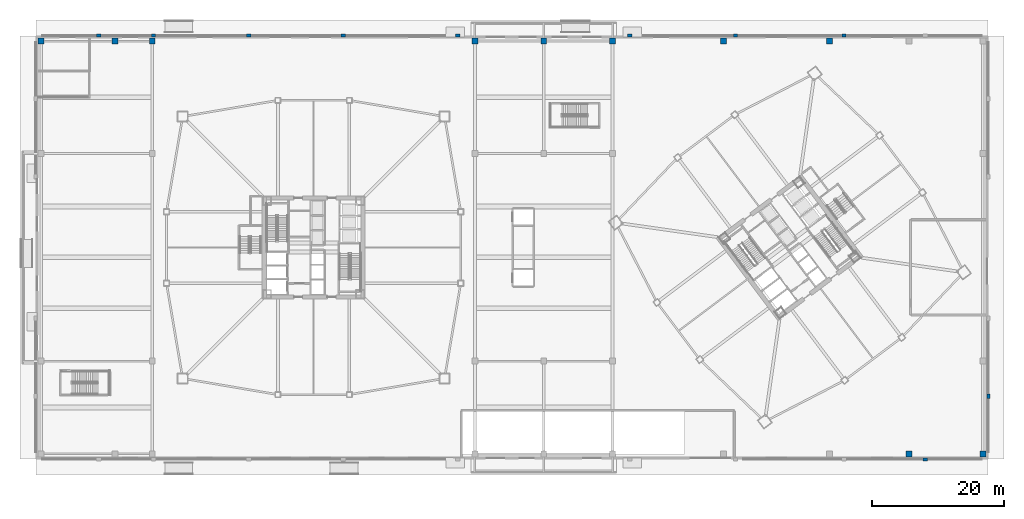
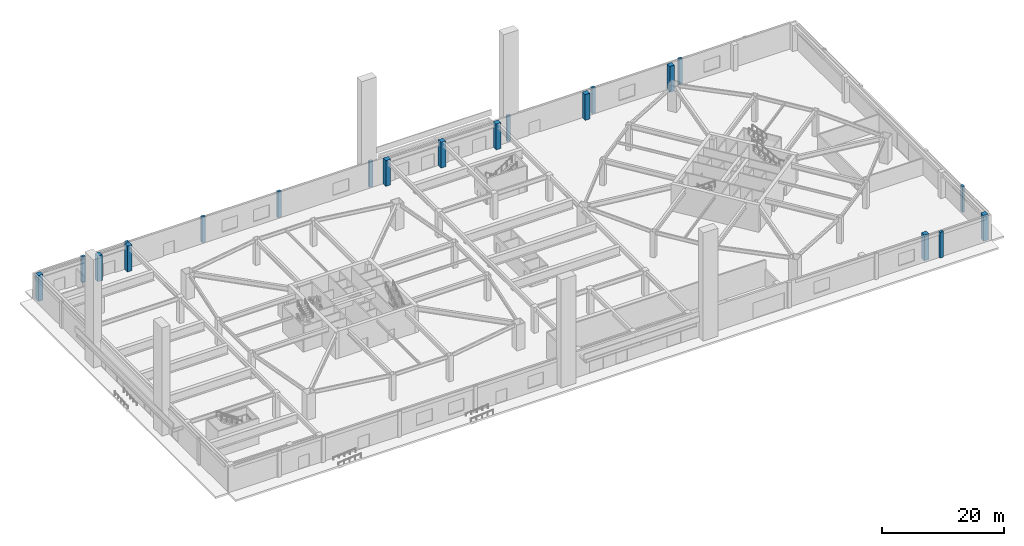
# One storey, part 3 of 26: 20 columns.
"""IFC4 building model written with IfcOpenShell, lengths in metres."""

import ifcopenshell
import ifcopenshell.guid

model = None  # the IFC model being written
_history = None  # IfcOwnerHistory: only IFC2X3 demands one
_inside = {}  # id of a spatial element -> (the spatial element, [elements in it])
_under = {}  # id of a project, library or spatial element -> (it, [spatial elements below it])
_declared = {}  # id of a project -> (the project, [libraries it declares])
_typed = {}  # id of a type object -> (the type object, [elements of that type])
_made_of = {}  # id of a material, layer set ... -> (it, [elements and type objects made of it])


def new_model(schema):
    """Start an empty IFC model of exactly this schema.

    Asked for "IFC4X3", IfcOpenShell would pick the latest addendum, in which some entities
    have other attributes; the version numbers below select the first issue.
    IFC2X3 requires an IfcOwnerHistory on every rooted entity: one is made here for all.
    """
    global model, _history
    if schema == "IFC4X3":
        model = ifcopenshell.file(schema_version=(4, 3, 0, 0))
    else:
        model = ifcopenshell.file(schema=schema)
    _inside.clear()
    _under.clear()
    _declared.clear()
    _typed.clear()
    _made_of.clear()
    _history = None
    if model.schema == "IFC2X3":
        org = make("IfcOrganization", Name="unknown")
        user = make(
            "IfcPersonAndOrganization",
            ThePerson=make("IfcPerson", FamilyName="unknown"),
            TheOrganization=org,
        )
        app = make(
            "IfcApplication",
            ApplicationDeveloper=org,
            Version="unknown",
            ApplicationFullName="unknown",
            ApplicationIdentifier="unknown",
        )
        _history = make(
            "IfcOwnerHistory",
            OwningUser=user,
            OwningApplication=app,
            ChangeAction="ADDED",
            CreationDate=0,
        )
    return model


def make(cls, **values):
    """One entity of the class cls with the attributes given. An attribute that is None is left unset."""
    return model.create_entity(
        cls, **{name: value for name, value in values.items() if value is not None}
    )


def rooted(cls, **values):
    """An entity with a GlobalId (a new one), such as an element, a storey or a relation."""
    return make(cls, GlobalId=ifcopenshell.guid.new(), OwnerHistory=_history, **values)


def si_unit(unit_type, name, prefix=None):
    """IfcSIUnit, for example si_unit("LENGTHUNIT", "METRE", prefix="MILLI")."""
    return make("IfcSIUnit", UnitType=unit_type, Prefix=prefix, Name=name)


def assignment(units):
    """IfcUnitAssignment: the units of a project."""
    return None if units is None else make("IfcUnitAssignment", Units=units)


def point(xyz):
    """IfcCartesianPoint."""
    return None if xyz is None else make("IfcCartesianPoint", Coordinates=xyz)


def direction(xyz):
    """IfcDirection."""
    return None if xyz is None else make("IfcDirection", DirectionRatios=xyz)


def frame(location, z_axis=None, x_axis=None):
    """IfcAxis2Placement3D, a coordinate frame: its origin and axes. An axis left out is left unset."""
    return make(
        "IfcAxis2Placement3D",
        Location=point(location),
        Axis=direction(z_axis),
        RefDirection=direction(x_axis),
    )


def frame_2d(location, x_axis=None):
    """IfcAxis2Placement2D, a coordinate frame in the plane: its origin and x axis."""
    return make(
        "IfcAxis2Placement2D", Location=point(location), RefDirection=direction(x_axis)
    )


def origin():
    """The frame at (0, 0, 0) with its axes left unset."""
    return frame((0.0, 0.0, 0.0))


def origin_2d():
    """The frame at (0, 0) in the plane with its x axis left unset."""
    return frame_2d((0.0, 0.0))


def place(relative_to, where):
    """IfcLocalPlacement: puts the frame where relative to a parent placement (None: the world)."""
    return make(
        "IfcLocalPlacement", PlacementRelTo=relative_to, RelativePlacement=where
    )


def context(
    kind, dimensions, precision=None, world=None, true_north=None, identifier=None
):
    """IfcGeometricRepresentationContext, for example the 3D "Model" context."""
    return make(
        "IfcGeometricRepresentationContext",
        ContextIdentifier=identifier,
        ContextType=kind,
        CoordinateSpaceDimension=dimensions,
        Precision=precision,
        WorldCoordinateSystem=world,
        TrueNorth=true_north,
    )


def subcontext(parent, identifier, kind, view, scale=None):
    """IfcGeometricRepresentationSubContext, for example "Body" below "Model"."""
    return make(
        "IfcGeometricRepresentationSubContext",
        ContextIdentifier=identifier,
        ContextType=kind,
        ParentContext=parent,
        TargetScale=scale,
        TargetView=view,
    )


def project(units=None, contexts=None):
    """IfcProject with its units and contexts."""
    return rooted(
        "IfcProject",
        Name="project",
        RepresentationContexts=contexts,
        UnitsInContext=assignment(units),
    )


def spatial(cls, under=None, at=None, **own):
    """A site, building, storey or space (cls), placed at a placement, below another one or the project."""
    s = rooted(cls, ObjectPlacement=at, **own)
    if under is not None:
        _under.setdefault(under.id(), (under, []))[1].append(s)
    return s


def profile(cls, at=None, kind="AREA", **sizes):
    """A parametric profile (cls). Its sizes go by their IFC names, for example OverallWidth=200.0."""
    return make(cls, ProfileType=kind, Position=at, **sizes)


def rectangle(**sizes):
    """IfcRectangleProfileDef."""
    return profile("IfcRectangleProfileDef", **sizes)


def extrude(swept, where, along, depth):
    """IfcExtrudedAreaSolid: the profile swept, set in the frame where, extruded along a direction by depth."""
    return make(
        "IfcExtrudedAreaSolid",
        SweptArea=swept,
        Position=where,
        ExtrudedDirection=direction(along),
        Depth=depth,
    )


def shape(context_of_items, identifier, shape_type, items):
    """IfcShapeRepresentation: the items that make up one representation, for example the "Body"."""
    return make(
        "IfcShapeRepresentation",
        ContextOfItems=context_of_items,
        RepresentationIdentifier=identifier,
        RepresentationType=shape_type,
        Items=items,
    )


def material(Name=None, Category=None):
    """IfcMaterial."""
    return make("IfcMaterial", Name=Name, Category=Category)


def material_profile(
    of_material, cross_section, Name=None, Category=None, Priority=None
):
    """IfcMaterialProfile: a cross section and its material."""
    return make(
        "IfcMaterialProfile",
        Name=Name,
        Material=of_material,
        Profile=cross_section,
        Priority=Priority,
        Category=Category,
    )


def profile_set(profiles, Name=None, composite=None):
    """IfcMaterialProfileSet."""
    return make(
        "IfcMaterialProfileSet",
        Name=Name,
        MaterialProfiles=profiles,
        CompositeProfile=composite,
    )


def made_of(thing, what):
    """Note that an element or type object is made of a material, layer set ...; save() writes the relation."""
    if what is not None:
        _made_of.setdefault(what.id(), (what, []))[1].append(thing)
    return thing


def type_object(cls, material=None, **own):
    """A type object (cls), such as IfcWallType, which elements share."""
    return made_of(rooted(cls, **own), material)


def element(
    cls,
    number,
    at=None,
    inside=None,
    cuts=None,
    type_object=None,
    material=None,
    context=None,
    identifier="Body",
    shape_type=None,
    held_by="IfcProductDefinitionShape",
    body=None,
    shapes=None,
    **own,
):
    """One element of the class cls, such as IfcWall. Its Tag is "e" and its number.

    at: its placement. inside: the storey or other place that contains it. cuts: it is an
    opening in that element (IfcRelVoidsElement). A single representation is given by context,
    identifier, shape_type and body (its items); several are given by shapes. held_by: the class
    of the entity that holds the representations. save() writes the other relations.
    """
    e = rooted(cls, Tag="e%d" % number, ObjectPlacement=at, **own)
    if body is not None:
        shapes = [shape(context, identifier, shape_type, body)]
    if shapes is not None:
        e.Representation = make(held_by, Representations=shapes)
    if inside is not None:
        _inside.setdefault(inside.id(), (inside, []))[1].append(e)
    if cuts is not None:
        rooted(
            "IfcRelVoidsElement", RelatingBuildingElement=cuts, RelatedOpeningElement=e
        )
    if type_object is not None:
        _typed.setdefault(type_object.id(), (type_object, []))[1].append(e)
    return made_of(e, material)


def aggregate(whole, parts):
    """IfcRelAggregates: a whole, such as a stair, and the parts it consists of."""
    return rooted("IfcRelAggregates", RelatingObject=whole, RelatedObjects=parts)


def save(model, path):
    """Write the relations noted so far, then the file.

    IfcRelAggregates (storeys below a building ...), IfcRelContainedInSpatialStructure (elements
    in a storey), IfcRelDefinesByType, IfcRelAssociatesMaterial and IfcRelDeclares: one each for
    every whole, place, type object, material and project.
    """
    for whole, parts in _under.values():
        aggregate(whole, parts)
    for where, things in _inside.values():
        rooted(
            "IfcRelContainedInSpatialStructure",
            RelatedElements=things,
            RelatingStructure=where,
        )
    for kind, things in _typed.values():
        rooted("IfcRelDefinesByType", RelatedObjects=things, RelatingType=kind)
    for what, things in _made_of.values():
        rooted("IfcRelAssociatesMaterial", RelatedObjects=things, RelatingMaterial=what)
    for by, libraries in _declared.values():
        rooted("IfcRelDeclares", RelatingContext=by, RelatedDefinitions=libraries)
    model.write(path)


model = new_model("IFC4")

# Units and contexts
model_context = context("Model", 3, precision=1e-05, world=origin(), true_north=direction((0.0, 1.0)))
body_context = subcontext(model_context, "Body", "Model", "MODEL_VIEW")
ifc_project = project(units=[si_unit("LENGTHUNIT", "METRE"), si_unit("AREAUNIT", "SQUARE_METRE"), si_unit("VOLUMEUNIT", "CUBIC_METRE"), si_unit("PLANEANGLEUNIT", "RADIAN"), si_unit("MASSUNIT", "GRAM", prefix="KILO")], contexts=[model_context])

# Site, building, storey
site_placement = place(None, origin())
site = spatial("IfcSite", under=ifc_project, at=site_placement, CompositionType="ELEMENT")
building_placement = place(site_placement, origin())
building = spatial("IfcBuilding", under=site, at=building_placement, Name="Tashvorn Skyway Center", CompositionType="ELEMENT")
storey_placement = place(building_placement, origin())
storey = spatial("IfcBuildingStorey", under=building, at=storey_placement, Name="L00", CompositionType="ELEMENT", Elevation=0.0)

# Columns
ifc_material_1 = material(Name="Concrete C50/60", Category="concrete")
ifc_material_profile_1 = material_profile(ifc_material_1, rectangle(XDim=0.89990234375, YDim=0.89990234375, at=origin_2d()), Name="RC900x900")
ifc_profile_set_1 = profile_set([ifc_material_profile_1], Name="Concrete C50/60")
column_type_1 = type_object("IfcColumnType", Name="COL-RC900x900", PredefinedType="COLUMN", material=ifc_profile_set_1)
for number, where, z_axis, x_axis, name in (
    (1, (0.800048828125, 63.199951171875, 0.0), (0.0, 0.0, 1.0), (1.0, 0.0, 0.0), "L00 Podium Column PC-01-2"),
    (2, (12.0, 63.199951171875, 0.0), (0.0, 0.0, 1.0), (1.0, 0.0, 0.0), "L00 Podium Column PC-02-2"),
    (3, (17.60009765625, 63.199951171875, 0.0), (0.0, 0.0, 1.0), (1.0, 0.0, 0.0), "L00 Podium Column PC-03-2"),
    (4, (66.39990234375, 63.199951171875, 0.0), (0.0, 0.0, 1.0), (1.0, 0.0, 0.0), "L00 Podium Column PC-04-2"),
    (5, (76.800048828125, 63.199951171875, 0.0), (0.0, 0.0, 1.0), (1.0, 0.0, 0.0), "L00 Podium Column PC-05-2"),
    (6, (87.199951171875, 63.199951171875, 0.0), (0.0, 0.0, 1.0), (1.0, 0.0, 0.0), "L00 Podium Column PC-06-2"),
    (7, (104.0, 63.199951171875, 0.0), (0.0, 0.0, 1.0), (1.0, 0.0, 0.0), "L00 Podium Column PC-07-2"),
    (8, (120.0, 63.199951171875, 0.0), (0.0, 0.0, 1.0), (1.0, 0.0, 0.0), "L00 Podium Column PC-08-2"),
    (9, (132.0, 0.800048828125, 0.0), (0.0, 0.0, 1.0), (1.0, 0.0, 0.0), "L00 Podium Column PC-09-1"),
    (10, (143.199951171875, 0.800048828125, 0.0), (0.0, 0.0, 1.0), (1.0, 0.0, 0.0), "L00 Podium Column PC-10-1"),
):
    element("IfcColumn", number, at=place(storey_placement, frame(where, z_axis=z_axis, x_axis=x_axis)), inside=storey, type_object=column_type_1, Name=name, PredefinedType="COLUMN", context=body_context, shape_type="SweptSolid", body=[
        extrude(rectangle(XDim=0.89990234375, YDim=0.89990234375, at=origin_2d()), origin(), (0.0, 0.0, 1.0), 5.139892578125),
    ])
ifc_material_2 = material(Name="Precast concrete C40/50", Category="concrete")
ifc_material_profile_2 = material_profile(ifc_material_2, rectangle(XDim=0.64990234375, YDim=0.449951171875, at=origin_2d()), Name="RCPIL650x450")
ifc_profile_set_2 = profile_set([ifc_material_profile_2], Name="Precast concrete C40/50")
column_type_2 = type_object("IfcColumnType", Name="PIL-RCPIL650x450", PredefinedType="PILASTER", material=ifc_profile_set_2)
for number, where, z_axis, x_axis, name in (
    (11, (9.5, 64.050048828125, 0.0), (0.0, 0.0, 1.0), (1.0, 0.0, 0.0), "L00 North Terracotta Colonnade Pilaster 1"),
    (12, (17.800048828125, 64.050048828125, 0.0), (0.0, 0.0, 1.0), (1.0, 0.0, 0.0), "L00 North Terracotta Colonnade Pilaster 2"),
    (13, (32.199951171875, 64.050048828125, 0.0), (0.0, 0.0, 1.0), (1.0, 0.0, 0.0), "L00 North Terracotta Colonnade Pilaster 3"),
    (14, (46.5, 64.050048828125, 0.0), (0.0, 0.0, 1.0), (1.0, 0.0, 0.0), "L00 North Terracotta Colonnade Pilaster 4"),
    (15, (63.800048828125, 64.050048828125, 0.0), (0.0, 0.0, 1.0), (1.0, 0.0, 0.0), "L00 North Terracotta Colonnade Pilaster 5"),
    (16, (89.800048828125, 64.050048828125, 0.0), (0.0, 0.0, 1.0), (1.0, 0.0, 0.0), "L00 North Terracotta Colonnade Pilaster 6"),
    (17, (105.800048828125, 64.050048828125, 0.0), (0.0, 0.0, 1.0), (1.0, 0.0, 0.0), "L00 North Terracotta Colonnade Pilaster 7"),
    (18, (122.199951171875, 64.050048828125, 0.0), (0.0, 0.0, 1.0), (1.0, 0.0, 0.0), "L00 North Terracotta Colonnade Pilaster 8"),
    (19, (134.5, -0.050048828125, 0.0), (0.0, 0.0, 1.0), (1.0, 0.0, 0.0), "L00 South Terracotta Colonnade Pilaster 9"),
    (20, (144.050048828125, 9.5, 0.0), (0.0, 0.0, 1.0), (0.0, 1.0, 0.0), "L00 East Terracotta Colonnade Pilaster 1"),
):
    element("IfcColumn", number, at=place(storey_placement, frame(where, z_axis=z_axis, x_axis=x_axis)), inside=storey, type_object=column_type_2, Name=name, PredefinedType="PILASTER", context=body_context, shape_type="SweptSolid", body=[
        extrude(rectangle(XDim=0.64990234375, YDim=0.449951171875, at=origin_2d()), origin(), (0.0, 0.0, 1.0), 5.139892578125),
    ])

save(model, "model.ifc")
